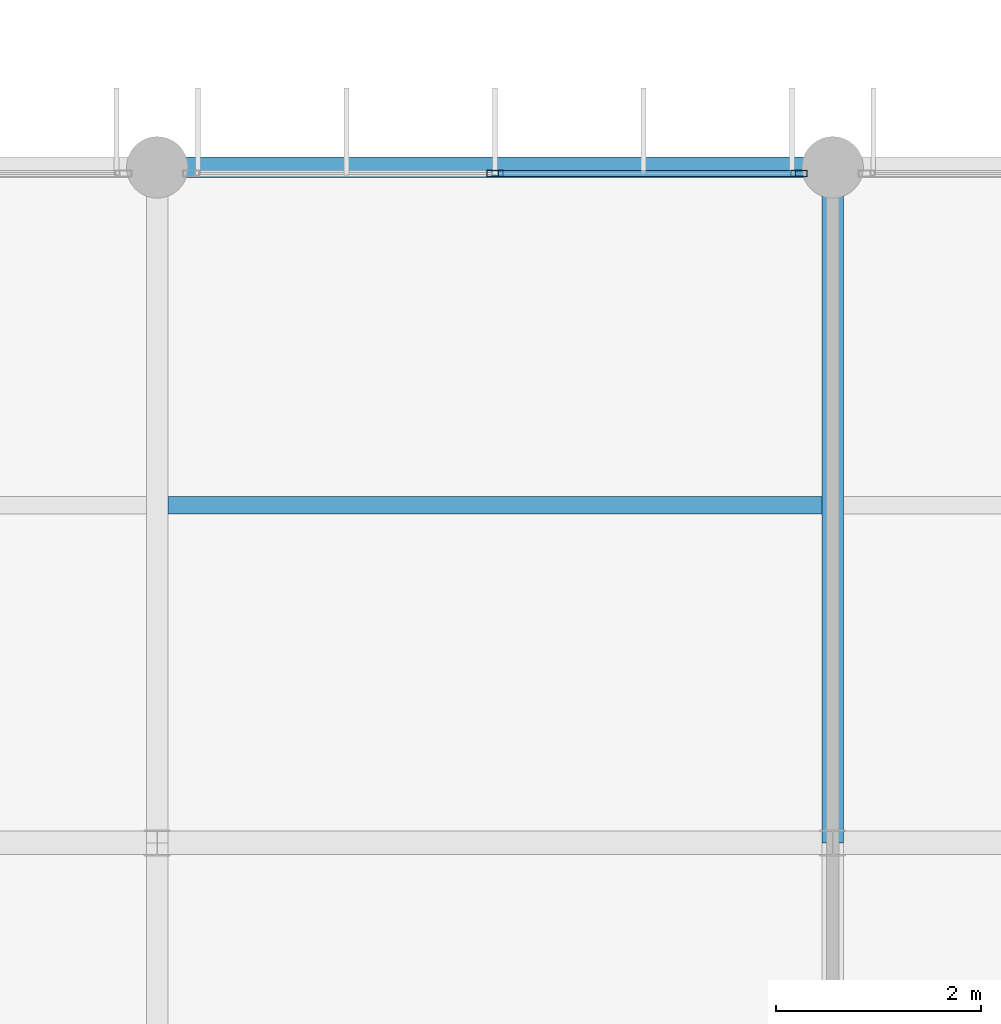
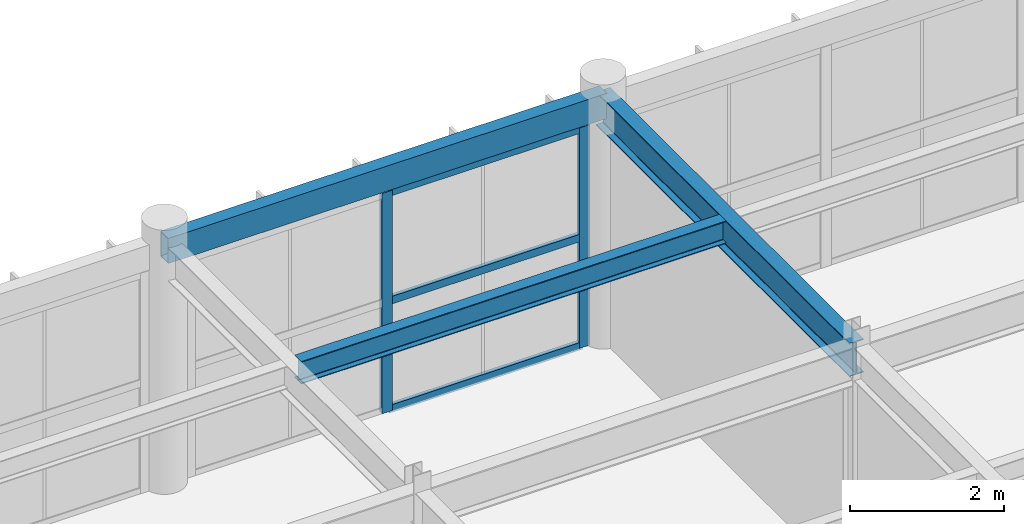
# One storey, part 21 of 66: 5 members, 3 beams, 1 element without a shape of its own.
"""IFC4 building model written with IfcOpenShell, lengths in metres."""

from ifc_helpers import new_model, si_unit, direction, frame, origin, origin_2d, place, context, subcontext, project, spatial, hollow_rectangle, i_section, extrude, material, material_profile, profile_set, type_object, element, aggregate, save


model = new_model("IFC4")

# Units and contexts
model_context = context("Model", 3, precision=1e-05, world=origin(), true_north=direction((0.0, 1.0)))
body_context = subcontext(model_context, "Body", "Model", "MODEL_VIEW")
ifc_project = project(units=[si_unit("LENGTHUNIT", "METRE"), si_unit("AREAUNIT", "SQUARE_METRE"), si_unit("VOLUMEUNIT", "CUBIC_METRE"), si_unit("PLANEANGLEUNIT", "RADIAN"), si_unit("MASSUNIT", "GRAM", prefix="KILO")], contexts=[model_context])

# Site, building, storey
site_placement = place(None, origin())
site = spatial("IfcSite", under=ifc_project, at=site_placement, CompositionType="ELEMENT")
building_placement = place(site_placement, origin())
building = spatial("IfcBuilding", under=site, at=building_placement, Name="Karori Crest Natural Sciences Institute", CompositionType="ELEMENT")
storey_placement = place(building_placement, frame((0.0, 0.0, 30.10009765625)))
storey = spatial("IfcBuildingStorey", under=building, at=storey_placement, Name="L07", CompositionType="ELEMENT", Elevation=30.10009765625)

# Beams
ifc_material_1 = material(Name="Structural steel AS/NZS 3679.1 Grade 350", Category="steel")
ifc_material_profile_1 = material_profile(ifc_material_1, i_section(OverallWidth=0.208984375, OverallDepth=0.532958984375, WebThickness=0.01025390625, FlangeThickness=0.015625, FilletRadius=0.013916015625, at=origin_2d()), Name="530UB92.4")
ifc_profile_set_1 = profile_set([ifc_material_profile_1], Name="Structural steel AS/NZS 3679.1 Grade 350")
beam_type_1 = type_object("IfcBeamType", Name="BT-05", PredefinedType="BEAM", material=ifc_profile_set_1)
beam_1_placement = place(storey_placement, frame((123.39990234375, 14.0, 3.6533203125), z_axis=(0.0, 1.0, 0.0), x_axis=(-1.0, 0.0, 0.0)))
element("IfcBeam", 1, at=beam_1_placement, inside=storey, type_object=beam_type_1, Name="Beam B-2659", PredefinedType="BEAM", context=body_context, shape_type="SweptSolid", body=[
    extrude(i_section(OverallWidth=0.208984375, OverallDepth=0.532958984375, WebThickness=0.01025390625, FlangeThickness=0.015625, FilletRadius=0.013916015625, at=origin_2d()), origin(), (0.0, 0.0, 1.0), 6.60009765625),
])
ifc_material_profile_2 = material_profile(ifc_material_1, i_section(OverallWidth=0.172119140625, OverallDepth=0.35888671875, WebThickness=0.008056640625, FlangeThickness=0.012939453125, FilletRadius=0.010986328125, at=origin_2d()), Name="360UB56.7")
ifc_profile_set_2 = profile_set([ifc_material_profile_2], Name="Structural steel AS/NZS 3679.1 Grade 350")
beam_type_2 = type_object("IfcBeamType", Name="BT-08", PredefinedType="BEAM", material=ifc_profile_set_2)
beam_2_placement = place(storey_placement, frame((116.904541015625, 17.300048828125, 3.740478515625), z_axis=(1.0, 0.0, 0.0), x_axis=(0.0, 1.0, 0.0)))
element("IfcBeam", 2, at=beam_2_placement, inside=storey, type_object=beam_type_2, Name="Beam B-2681", PredefinedType="BEAM", context=body_context, shape_type="SweptSolid", body=[
    extrude(i_section(OverallWidth=0.172119140625, OverallDepth=0.35888671875, WebThickness=0.008056640625, FlangeThickness=0.012939453125, FilletRadius=0.010986328125, at=origin_2d()), origin(), (0.0, 0.0, 1.0), 6.390869140625),
])
ifc_material_2 = material(Name="Hollow structural steel AS/NZS 1163 Grade C350", Category="steel")
ifc_material_profile_3 = material_profile(ifc_material_2, hollow_rectangle(XDim=0.199951171875, YDim=0.39990234375, WallThickness=0.012451171875, at=origin_2d()), Name="RHS400x200x12.5")
ifc_profile_set_3 = profile_set([ifc_material_profile_3], Name="Hollow structural steel AS/NZS 1163 Grade C350")
beam_type_3 = type_object("IfcBeamType", Name="BT-14", PredefinedType="SPANDREL", material=ifc_profile_set_3)
beam_3_placement = place(storey_placement, frame((116.800048828125, 20.60009765625, 3.719970703125), z_axis=(1.0, 0.0, 0.0), x_axis=(0.0, 1.0, 0.0)))
element("IfcBeam", 3, at=beam_3_placement, inside=storey, type_object=beam_type_3, Name="Beam B-2642", PredefinedType="SPANDREL", context=body_context, shape_type="SweptSolid", body=[
    extrude(hollow_rectangle(XDim=0.199951171875, YDim=0.39990234375, WallThickness=0.012451171875, at=origin_2d()), origin(), (0.0, 0.0, 1.0), 6.599853515625),
])

# Curtain wall, members
ifc_material_3 = material(Name="Anodised architectural aluminium 6063-T6", Category="aluminium")
curtain_wall_type = type_object("IfcCurtainWallType", Name="CWT-20", PredefinedType="NOTDEFINED", material=ifc_material_3)
curtain_wall_placement = place(storey_placement, origin())
curtain_wall = element("IfcCurtainWall", 4, at=curtain_wall_placement, inside=storey, type_object=curtain_wall_type, Name="Curtain wall CW-0359", PredefinedType="NOTDEFINED")
ifc_material_profile_4 = material_profile(ifc_material_3, hollow_rectangle(XDim=0.06494140625, YDim=0.159912109375, WallThickness=0.00390625, at=origin_2d()), Name="CWM160x65x4")
ifc_profile_set_4 = profile_set([ifc_material_profile_4], Name="Anodised architectural aluminium 6063-T6")
member_type_1 = type_object("IfcMemberType", Name="CWM-01", PredefinedType="MULLION", material=ifc_profile_set_4)
member_1_placement = place(storey_placement, frame((120.10009765625, 20.5400390625, 0.0), z_axis=(0.0, 0.0, 1.0), x_axis=(0.0, 1.0, 0.0)))
member_1 = element("IfcMember", 5, at=member_1_placement, type_object=member_type_1, Name="CW-0359 mullion 2", PredefinedType="MULLION", context=body_context, shape_type="SweptSolid", body=[
    extrude(hollow_rectangle(XDim=0.06494140625, YDim=0.159912109375, WallThickness=0.00390625, at=origin_2d()), origin(), (0.0, 0.0, 1.0), 3.5048828125),
])
member_2_placement = place(storey_placement, frame((123.069580078125, 20.5400390625, 0.0), z_axis=(0.0, 0.0, 1.0), x_axis=(0.0, 1.0, 0.0)))
member_2 = element("IfcMember", 6, at=member_2_placement, type_object=member_type_1, Name="CW-0359 mullion 3", PredefinedType="MULLION", context=body_context, shape_type="SweptSolid", body=[
    extrude(hollow_rectangle(XDim=0.06494140625, YDim=0.159912109375, WallThickness=0.00390625, at=origin_2d()), origin(), (0.0, 0.0, 1.0), 3.5048828125),
])
ifc_material_profile_5 = material_profile(ifc_material_3, hollow_rectangle(XDim=0.06005859375, YDim=0.1201171875, WallThickness=0.00390625, at=origin_2d()), Name="CWT120x60x4")
ifc_profile_set_5 = profile_set([ifc_material_profile_5], Name="Anodised architectural aluminium 6063-T6")
member_type_2 = type_object("IfcMemberType", Name="CWT-TR1", PredefinedType="USERDEFINED", material=ifc_profile_set_5)
member_3_placement = place(storey_placement, frame((120.132568359375, 20.5400390625, 0.02978515625), z_axis=(1.0, 0.0, 0.0), x_axis=(0.0, 1.0, 0.0)))
member_3 = element("IfcMember", 7, at=member_3_placement, type_object=member_type_2, Name="CW-0359 transom 2.1", ObjectType="TRANSOM", PredefinedType="USERDEFINED", context=body_context, shape_type="SweptSolid", body=[
    extrude(hollow_rectangle(XDim=0.06005859375, YDim=0.1201171875, WallThickness=0.00390625, at=origin_2d()), origin(), (0.0, 0.0, 1.0), 2.904541015625),
])
member_4_placement = place(storey_placement, frame((120.132568359375, 20.5400390625, 1.75244140625), z_axis=(1.0, 0.0, 0.0), x_axis=(0.0, 1.0, 0.0)))
member_4 = element("IfcMember", 8, at=member_4_placement, type_object=member_type_2, Name="CW-0359 transom 2.2", ObjectType="TRANSOM", PredefinedType="USERDEFINED", context=body_context, shape_type="SweptSolid", body=[
    extrude(hollow_rectangle(XDim=0.06005859375, YDim=0.1201171875, WallThickness=0.00390625, at=origin_2d()), origin(), (0.0, 0.0, 1.0), 2.904541015625),
])
member_5_placement = place(storey_placement, frame((120.132568359375, 20.5400390625, 3.474853515625), z_axis=(1.0, 0.0, 0.0), x_axis=(0.0, 1.0, 0.0)))
member_5 = element("IfcMember", 9, at=member_5_placement, type_object=member_type_2, Name="CW-0359 transom 2.3", ObjectType="TRANSOM", PredefinedType="USERDEFINED", context=body_context, shape_type="SweptSolid", body=[
    extrude(hollow_rectangle(XDim=0.06005859375, YDim=0.1201171875, WallThickness=0.00390625, at=origin_2d()), origin(), (0.0, 0.0, 1.0), 2.904541015625),
])
aggregate(curtain_wall, [member_1, member_2, member_3, member_4, member_5])

save(model, "model.ifc")
